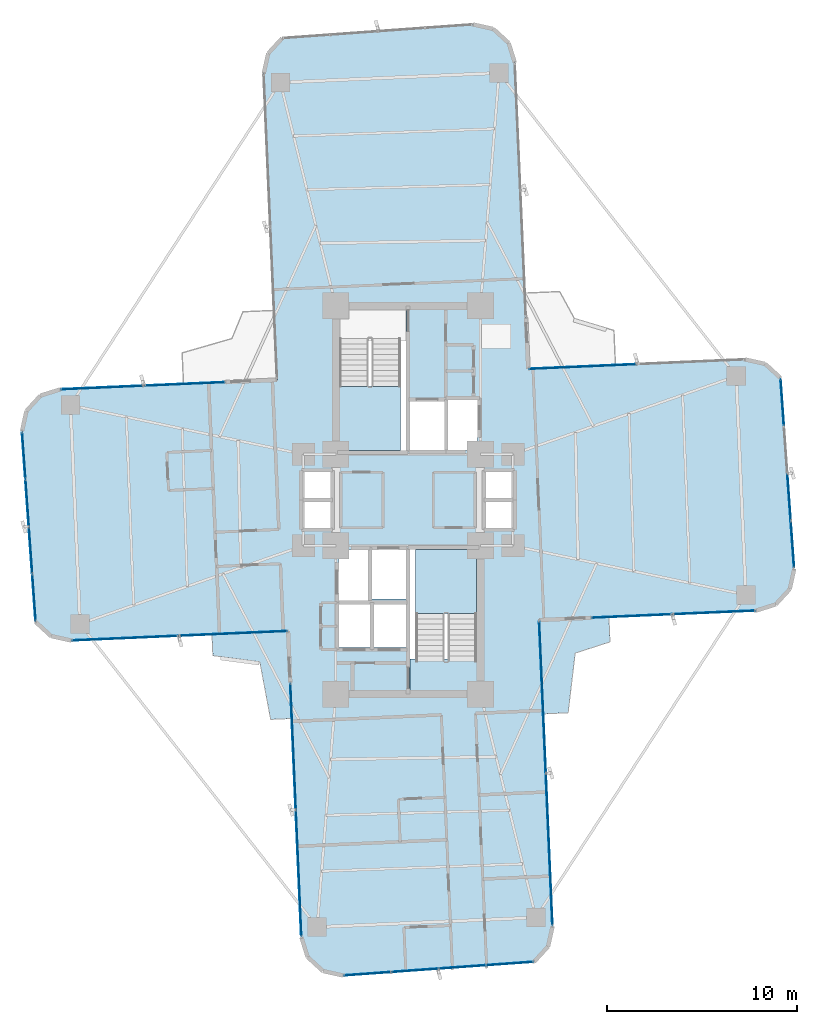
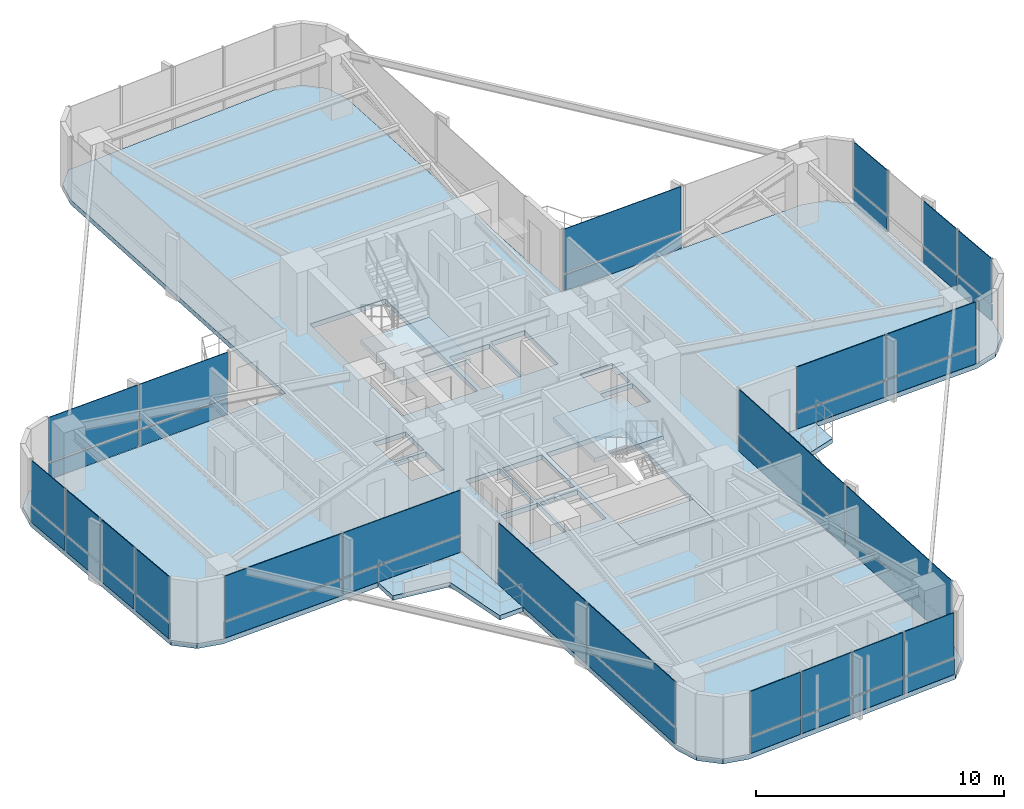
# One storey, part 21 of 26: 44 plates, 6 slabs, 11 elements without a shape of their own.
"""IFC4 building model written with IfcOpenShell, lengths in metres."""

from ifc_helpers import new_model, si_unit, direction, frame, origin, origin_2d, place, context, subcontext, project, spatial, polyline, rectangle, outline, extrude, source, transform, mapped, material, layer, layer_set, type_object, element, aggregate, save


model = new_model("IFC4")

# Units and contexts
model_context = context("Model", 3, precision=1e-05, world=origin(), true_north=direction((0.0, 1.0)))
body_context = subcontext(model_context, "Body", "Model", "MODEL_VIEW")
ifc_project = project(units=[si_unit("LENGTHUNIT", "METRE"), si_unit("AREAUNIT", "SQUARE_METRE"), si_unit("VOLUMEUNIT", "CUBIC_METRE"), si_unit("PLANEANGLEUNIT", "RADIAN"), si_unit("MASSUNIT", "GRAM", prefix="KILO")], contexts=[model_context])

# Site, building, storey
site_placement = place(None, origin())
site = spatial("IfcSite", under=ifc_project, at=site_placement, CompositionType="ELEMENT")
building_placement = place(site_placement, origin())
building = spatial("IfcBuilding", under=site, at=building_placement, Name="Sahyath Konkavel Grand Hotel", CompositionType="ELEMENT")
storey_placement = place(building_placement, frame((0.0, 0.0, 121.5)))
storey = spatial("IfcBuildingStorey", under=building, at=storey_placement, Name="L33", CompositionType="ELEMENT", Elevation=121.5)

# Slabs
ifc_material_1 = material(Name="Concrete C40/50", Category="concrete")
ifc_layer_1 = layer(ifc_material_1, 0.239990234375)
ifc_layer_set_1 = layer_set([ifc_layer_1], Name="Concrete C40/50")
slab_type_1 = type_object("IfcSlabType", Name="SLB-240", PredefinedType="FLOOR", material=ifc_layer_set_1)
slab_1_placement = place(storey_placement, frame((0.0, 0.0, -0.239990234375)))
element("IfcSlab", 1, at=slab_1_placement, inside=storey, type_object=slab_type_1, Name="L33 Structural Floor Slab", PredefinedType="FLOOR", context=body_context, shape_type="SweptSolid", body=[
    extrude(outline(polyline([(6.881591796875, -6.305908203125), (18.270751953125, -5.80859375), (19.3076171875, -5.481689453125), (20.0419921875, -4.68017578125), (20.277099609375, -3.618896484375), (19.5576171875, 6.4091796875), (18.75634765625, 7.1435546875), (17.695068359375, 7.37890625), (6.305908203125, 6.881591796875), (5.603515625, 22.96630859375), (5.276611328125, 24.0029296875), (4.47509765625, 24.7373046875), (3.4140625, 24.97265625), (-6.6142578125, 24.253173828125), (-7.3486328125, 23.451904296875), (-7.583984375, 22.390380859375), (-6.881591796875, 6.305908203125), (-18.270751953125, 5.80859375), (-19.3076171875, 5.481689453125), (-20.0419921875, 4.68017578125), (-20.277099609375, 3.618896484375), (-19.5576171875, -6.4091796875), (-18.75634765625, -7.1435546875), (-17.695068359375, -7.37890625), (-6.305908203125, -6.881591796875), (-5.603515625, -22.96630859375), (-5.276611328125, -24.0029296875), (-4.47509765625, -24.7373046875), (-3.4140625, -24.97265625), (6.6142578125, -24.253173828125), (7.3486328125, -23.451904296875), (7.583984375, -22.390380859375), (6.881591796875, -6.305908203125)]), holes=[polyline([(-3.6201171875, 2.580078125), (-0.10009765625, 2.580078125), (-0.10009765625, 10.02001953125), (-3.6201171875, 10.02001953125), (-3.6201171875, 2.580078125)]), polyline([(0.10009765625, -10.02001953125), (3.6201171875, -10.02001953125), (3.6201171875, -2.580078125), (0.10009765625, -2.580078125), (0.10009765625, -10.02001953125)]), polyline([(0.10009765625, 2.60009765625), (1.949951171875, 2.60009765625), (1.949951171875, 5.199951171875), (0.10009765625, 5.199951171875), (0.10009765625, 2.60009765625)]), polyline([(-1.949951171875, -5.199951171875), (-0.10009765625, -5.199951171875), (-0.10009765625, -2.60009765625), (-1.949951171875, -2.60009765625), (-1.949951171875, -5.199951171875)]), polyline([(2.050048828125, 2.60009765625), (3.64990234375, 2.60009765625), (3.64990234375, 5.300048828125), (2.050048828125, 5.300048828125), (2.050048828125, 2.60009765625)]), polyline([(-3.64990234375, -5.300048828125), (-2.050048828125, -5.300048828125), (-2.050048828125, -2.60009765625), (-3.64990234375, -2.60009765625), (-3.64990234375, -5.300048828125)]), polyline([(-3.64990234375, -7.75), (-1.949951171875, -7.75), (-1.949951171875, -5.449951171875), (-3.64990234375, -5.449951171875), (-3.64990234375, -7.75)]), polyline([(-1.85009765625, -7.75), (-0.10009765625, -7.75), (-0.10009765625, -5.449951171875), (-1.85009765625, -5.449951171875), (-1.85009765625, -7.75)]), polyline([(4.050048828125, 0.080078125), (5.550048828125, 0.080078125), (5.550048828125, 1.5400390625), (4.050048828125, 1.5400390625), (4.050048828125, 0.080078125)]), polyline([(4.050048828125, -1.5400390625), (5.550048828125, -1.5400390625), (5.550048828125, -0.080078125), (4.050048828125, -0.080078125), (4.050048828125, -1.5400390625)]), polyline([(-5.550048828125, 0.080078125), (-4.050048828125, 0.080078125), (-4.050048828125, 1.5400390625), (-5.550048828125, 1.5400390625), (-5.550048828125, 0.080078125)]), polyline([(-5.550048828125, -1.5400390625), (-4.050048828125, -1.5400390625), (-4.050048828125, -0.080078125), (-5.550048828125, -0.080078125), (-5.550048828125, -1.5400390625)])]), origin(), (0.0, 0.0, 1.0), 0.239990234375),
])
ifc_layer_2 = layer(ifc_material_1, 0.219970703125)
ifc_layer_set_2 = layer_set([ifc_layer_2], Name="Concrete C40/50")
slab_type_2 = type_object("IfcSlabType", Name="SLB-BALCONY-220", PredefinedType="FLOOR", material=ifc_layer_set_2)
slab_2_placement = place(storey_placement, frame((0.0, 0.0, -0.219970703125)))
element("IfcSlab", 2, at=slab_2_placement, inside=storey, type_object=slab_type_2, Name="L33 Winter-Garden Balcony SW", PredefinedType="FLOOR", context=body_context, shape_type="SweptSolid", body=[
    extrude(outline(polyline([(-6.305908203125, -6.881591796875), (-10.303955078125, -7.05615234375), (-10.25537109375, -8.172607421875), (-7.788818359375, -8.499755859375), (-7.2216796875, -11.52392578125), (-6.105224609375, -11.47509765625), (-6.305908203125, -6.881591796875)])), origin(), (0.0, 0.0, 1.0), 0.219970703125),
])
slab_3_placement = place(storey_placement, frame((0.0, 0.0, -0.219970703125)))
element("IfcSlab", 3, at=slab_3_placement, inside=storey, type_object=slab_type_2, Name="L33 Winter-Garden Balcony SE", PredefinedType="FLOOR", context=body_context, shape_type="SweptSolid", body=[
    extrude(outline(polyline([(6.881591796875, -6.305908203125), (7.0966796875, -11.234130859375), (8.403076171875, -11.177001953125), (8.775146484375, -8.041015625), (10.60205078125, -7.4521484375), (10.545166015625, -6.14599609375), (6.881591796875, -6.305908203125)])), origin(), (0.0, 0.0, 1.0), 0.219970703125),
])

# Stair, slab
stair_type = type_object("IfcStairType", Name="STR-ST16-335", PredefinedType="HALF_TURN_STAIR", material=ifc_material_1)
stair_1_placement = place(storey_placement, origin())
stair_1 = element("IfcStair", 4, at=stair_1_placement, inside=storey, type_object=stair_type, Name="L33 North Core Smokeproof Exit Stair ST-1", PredefinedType="HALF_TURN_STAIR")
ifc_layer_3 = layer(ifc_material_1, 0.199951171875)
ifc_layer_set_3 = layer_set([ifc_layer_3], Name="Concrete C40/50")
slab_type_3 = type_object("IfcSlabType", Name="SLB-STAIR-LND", PredefinedType="LANDING", material=ifc_layer_set_3)
slab_4_placement = place(storey_placement, frame((0.0, 0.0, 1.47509765625)))
slab_4 = element("IfcSlab", 5, at=slab_4_placement, type_object=slab_type_3, Name="ST-1 landing 1", PredefinedType="LANDING", context=body_context, shape_type="SweptSolid", body=[
    extrude(outline(polyline([(-3.60009765625, 5.9599609375), (-3.60009765625, 2.60009765625), (-0.39990234375, 2.60009765625), (-0.39990234375, 5.9599609375), (-3.60009765625, 5.9599609375)])), origin(), (0.0, 0.0, 1.0), 0.199951171875),
])
aggregate(stair_1, [slab_4])

stair_2_placement = place(storey_placement, origin())
stair_2 = element("IfcStair", 6, at=stair_2_placement, inside=storey, type_object=stair_type, Name="L33 South Core Smokeproof Exit Stair ST-2", PredefinedType="HALF_TURN_STAIR")
slab_5_placement = place(storey_placement, frame((0.0, 0.0, 1.47509765625)))
slab_5 = element("IfcSlab", 7, at=slab_5_placement, type_object=slab_type_3, Name="ST-2 landing 1", PredefinedType="LANDING", context=body_context, shape_type="SweptSolid", body=[
    extrude(outline(polyline([(3.60009765625, -5.9599609375), (3.60009765625, -2.60009765625), (0.39990234375, -2.60009765625), (0.39990234375, -5.9599609375), (3.60009765625, -5.9599609375)])), origin(), (0.0, 0.0, 1.0), 0.199951171875),
])
aggregate(stair_2, [slab_5])

# Slab
slab_6_placement = place(storey_placement, frame((0.0, 0.0, -0.199951171875)))
element("IfcSlab", 8, at=slab_6_placement, inside=storey, type_object=slab_type_3, Name="L33 Stair ST-2 Floor Landing Slab", PredefinedType="LANDING", context=body_context, shape_type="SweptSolid", body=[
    extrude(outline(polyline([(0.10009765625, -10.02001953125), (3.6201171875, -10.02001953125), (3.6201171875, -8.35009765625), (0.10009765625, -8.35009765625), (0.10009765625, -10.02001953125)])), origin(), (0.0, 0.0, 1.0), 0.199951171875),
])

# Curtain wall, plates
ifc_material_2 = material(Name="Anodised Bronze Aluminium & Low-E Glazing", Category="aluminium")
curtain_wall_type = type_object("IfcCurtainWallType", Name="CW-ZONE2", PredefinedType="NOTDEFINED", material=ifc_material_2)
curtain_wall_1_placement = place(storey_placement, origin())
curtain_wall_1 = element("IfcCurtainWall", 9, at=curtain_wall_1_placement, inside=storey, type_object=curtain_wall_type, Name="L33 Unitised Curtain Wall F0", PredefinedType="NOTDEFINED")
ifc_material_3 = material(Name="Warm Buff Sandstone Cladding", Category="masonry")
ifc_layer_4 = layer(ifc_material_3, 0.074951171875)
ifc_layer_set_4 = layer_set([ifc_layer_4], Name="Warm Buff Sandstone Cladding")
plate_type_1 = type_object("IfcPlateType", Name="PNL-SPANDREL-STONE", PredefinedType="SHEET", material=ifc_layer_set_4)
shared_shape_1 = source(origin(), body_context, "Body", "SweptSolid", [
    extrude(rectangle(XDim=4.22998046875, YDim=0.074951171875, at=origin_2d()), origin(), (0.0, 0.0, 1.0), 0.77001953125),
])
plate_1_placement = place(storey_placement, frame((11.77197265625, -6.09228515625, 0.0400390625), z_axis=(0.0, 0.0, 1.0), x_axis=(0.999048982732, 0.043601950678, 0.0)))
plate_1 = element("IfcPlate", 10, at=plate_1_placement, type_object=plate_type_1, Name="L33 Sandstone Relief Spandrel Panel F0-0", PredefinedType="SHEET", context=body_context, shape_type="MappedRepresentation", body=[
    mapped(shared_shape_1, transform((0.0, 0.0, 0.0), scale=1.0)),
])
plate_2_placement = place(storey_placement, frame((16.077880859375, -5.904296875, 0.0400390625), z_axis=(0.0, 0.0, 1.0), x_axis=(0.999048982732, 0.043601950678, 0.0)))
plate_2 = element("IfcPlate", 11, at=plate_2_placement, type_object=plate_type_1, Name="L33 Sandstone Relief Spandrel Panel F0-1", PredefinedType="SHEET", context=body_context, shape_type="MappedRepresentation", body=[
    mapped(shared_shape_1, transform((0.0, 0.0, 0.0), scale=1.0)),
])

curtain_wall_2_placement = place(storey_placement, origin())
curtain_wall_2 = element("IfcCurtainWall", 12, at=curtain_wall_2_placement, inside=storey, type_object=curtain_wall_type, Name="L33 Unitised Curtain Wall F16", PredefinedType="NOTDEFINED")
plate_3_placement = place(storey_placement, frame((-11.77197265625, 6.09228515625, 0.0400390625), z_axis=(0.0, 0.0, 1.0), x_axis=(-0.999048982732, -0.043601950678, 0.0)))
plate_3 = element("IfcPlate", 13, at=plate_3_placement, type_object=plate_type_1, Name="L33 Sandstone Relief Spandrel Panel F16-0", PredefinedType="SHEET", context=body_context, shape_type="MappedRepresentation", body=[
    mapped(shared_shape_1, transform((0.0, 0.0, 0.0), scale=1.0)),
])
plate_4_placement = place(storey_placement, frame((-16.077880859375, 5.904296875, 0.0400390625), z_axis=(0.0, 0.0, 1.0), x_axis=(-0.999048982732, -0.043601950678, 0.0)))
plate_4 = element("IfcPlate", 14, at=plate_4_placement, type_object=plate_type_1, Name="L33 Sandstone Relief Spandrel Panel F16-1", PredefinedType="SHEET", context=body_context, shape_type="MappedRepresentation", body=[
    mapped(shared_shape_1, transform((0.0, 0.0, 0.0), scale=1.0)),
])

curtain_wall_3_placement = place(storey_placement, origin())
curtain_wall_3 = element("IfcCurtainWall", 15, at=curtain_wall_3_placement, inside=storey, type_object=curtain_wall_type, Name="L33 Unitised Curtain Wall F4", PredefinedType="NOTDEFINED")
shared_shape_2 = source(origin(), body_context, "Body", "SweptSolid", [
    extrude(rectangle(XDim=2.41357421875, YDim=0.074951171875, at=origin_2d()), origin(), (0.0, 0.0, 1.0), 0.77001953125),
])
plate_5_placement = place(storey_placement, frame((20.18505859375, -2.335693359375, 0.0400390625), z_axis=(0.0, 0.0, 1.0), x_axis=(-0.071567078661, 0.997435789037, 0.0)))
plate_5 = element("IfcPlate", 16, at=plate_5_placement, type_object=plate_type_1, Name="L33 Sandstone Relief Spandrel Panel F4-0", PredefinedType="SHEET", context=body_context, shape_type="MappedRepresentation", body=[
    mapped(shared_shape_2, transform((0.0, 0.0, 0.0), scale=1.0)),
])
plate_6_placement = place(storey_placement, frame((20.006591796875, 0.151611328125, 0.0400390625), z_axis=(0.0, 0.0, 1.0), x_axis=(-0.071567078661, 0.997435789037, 0.0)))
plate_6 = element("IfcPlate", 17, at=plate_6_placement, type_object=plate_type_1, Name="L33 Sandstone Relief Spandrel Panel F4-1", PredefinedType="SHEET", context=body_context, shape_type="MappedRepresentation", body=[
    mapped(shared_shape_2, transform((0.0, 0.0, 0.0), scale=1.0)),
])
plate_7_placement = place(storey_placement, frame((19.64990234375, 5.125732421875, 0.0400390625), z_axis=(0.0, 0.0, 1.0), x_axis=(-0.071567078661, 0.997435789037, 0.0)))
plate_7 = element("IfcPlate", 18, at=plate_7_placement, type_object=plate_type_1, Name="L33 Sandstone Relief Spandrel Panel F4-3", PredefinedType="SHEET", context=body_context, shape_type="MappedRepresentation", body=[
    mapped(shared_shape_2, transform((0.0, 0.0, 0.0), scale=1.0)),
])

curtain_wall_4_placement = place(storey_placement, origin())
curtain_wall_4 = element("IfcCurtainWall", 19, at=curtain_wall_4_placement, inside=storey, type_object=curtain_wall_type, Name="L33 Unitised Curtain Wall F20", PredefinedType="NOTDEFINED")
plate_8_placement = place(storey_placement, frame((-20.18505859375, 2.335693359375, 0.0400390625), z_axis=(0.0, 0.0, 1.0), x_axis=(0.071567078661, -0.997435789037, 0.0)))
plate_8 = element("IfcPlate", 20, at=plate_8_placement, type_object=plate_type_1, Name="L33 Sandstone Relief Spandrel Panel F20-0", PredefinedType="SHEET", context=body_context, shape_type="MappedRepresentation", body=[
    mapped(shared_shape_2, transform((0.0, 0.0, 0.0), scale=1.0)),
])
plate_9_placement = place(storey_placement, frame((-20.006591796875, -0.151611328125, 0.0400390625), z_axis=(0.0, 0.0, 1.0), x_axis=(0.071567078661, -0.997435789037, 0.0)))
plate_9 = element("IfcPlate", 21, at=plate_9_placement, type_object=plate_type_1, Name="L33 Sandstone Relief Spandrel Panel F20-1", PredefinedType="SHEET", context=body_context, shape_type="MappedRepresentation", body=[
    mapped(shared_shape_2, transform((0.0, 0.0, 0.0), scale=1.0)),
])
plate_10_placement = place(storey_placement, frame((-19.828369140625, -2.638671875, 0.0400390625), z_axis=(0.0, 0.0, 1.0), x_axis=(0.071567078661, -0.997435789037, 0.0)))
plate_10 = element("IfcPlate", 22, at=plate_10_placement, type_object=plate_type_1, Name="L33 Sandstone Relief Spandrel Panel F20-2", PredefinedType="SHEET", context=body_context, shape_type="MappedRepresentation", body=[
    mapped(shared_shape_2, transform((0.0, 0.0, 0.0), scale=1.0)),
])
plate_11_placement = place(storey_placement, frame((-19.64990234375, -5.125732421875, 0.0400390625), z_axis=(0.0, 0.0, 1.0), x_axis=(0.071567078661, -0.997435789037, 0.0)))
plate_11 = element("IfcPlate", 23, at=plate_11_placement, type_object=plate_type_1, Name="L33 Sandstone Relief Spandrel Panel F20-3", PredefinedType="SHEET", context=body_context, shape_type="MappedRepresentation", body=[
    mapped(shared_shape_2, transform((0.0, 0.0, 0.0), scale=1.0)),
])

curtain_wall_5_placement = place(storey_placement, origin())
curtain_wall_5 = element("IfcCurtainWall", 24, at=curtain_wall_5_placement, inside=storey, type_object=curtain_wall_type, Name="L33 Unitised Curtain Wall F28", PredefinedType="NOTDEFINED")
plate_12_placement = place(storey_placement, frame((-2.130615234375, -24.880615234375, 0.0400390625), z_axis=(0.0, 0.0, 1.0), x_axis=(0.997435789037, 0.071567078661, 0.0)))
plate_12 = element("IfcPlate", 25, at=plate_12_placement, type_object=plate_type_1, Name="L33 Sandstone Relief Spandrel Panel F28-0", PredefinedType="SHEET", context=body_context, shape_type="MappedRepresentation", body=[
    mapped(shared_shape_2, transform((0.0, 0.0, 0.0), scale=1.0)),
])
plate_13_placement = place(storey_placement, frame((0.356689453125, -24.7021484375, 0.0400390625), z_axis=(0.0, 0.0, 1.0), x_axis=(0.997435789037, 0.071567078661, 0.0)))
plate_13 = element("IfcPlate", 26, at=plate_13_placement, type_object=plate_type_1, Name="L33 Sandstone Relief Spandrel Panel F28-1", PredefinedType="SHEET", context=body_context, shape_type="MappedRepresentation", body=[
    mapped(shared_shape_2, transform((0.0, 0.0, 0.0), scale=1.0)),
])
plate_14_placement = place(storey_placement, frame((2.84375, -24.523681640625, 0.0400390625), z_axis=(0.0, 0.0, 1.0), x_axis=(0.997435789037, 0.071567078661, 0.0)))
plate_14 = element("IfcPlate", 27, at=plate_14_placement, type_object=plate_type_1, Name="L33 Sandstone Relief Spandrel Panel F28-2", PredefinedType="SHEET", context=body_context, shape_type="MappedRepresentation", body=[
    mapped(shared_shape_2, transform((0.0, 0.0, 0.0), scale=1.0)),
])
plate_15_placement = place(storey_placement, frame((5.330810546875, -24.34521484375, 0.0400390625), z_axis=(0.0, 0.0, 1.0), x_axis=(0.997435789037, 0.071567078661, 0.0)))
plate_15 = element("IfcPlate", 28, at=plate_15_placement, type_object=plate_type_1, Name="L33 Sandstone Relief Spandrel Panel F28-3", PredefinedType="SHEET", context=body_context, shape_type="MappedRepresentation", body=[
    mapped(shared_shape_2, transform((0.0, 0.0, 0.0), scale=1.0)),
])

# Curtain wall, plate
curtain_wall_6_placement = place(storey_placement, origin())
curtain_wall_6 = element("IfcCurtainWall", 29, at=curtain_wall_6_placement, inside=storey, type_object=curtain_wall_type, Name="L33 Unitised Curtain Wall F7", PredefinedType="NOTDEFINED")
shared_shape_3 = source(origin(), body_context, "Body", "SweptSolid", [
    extrude(rectangle(XDim=5.580078125, YDim=0.074951171875, at=origin_2d()), origin(), (0.0, 0.0, 1.0), 0.77001953125),
])
plate_16_placement = place(storey_placement, frame((9.173095703125, 7.0068359375, 0.0400390625), z_axis=(0.0, 0.0, 1.0), x_axis=(-0.999048221582, -0.043619387365, 0.0)))
plate_16 = element("IfcPlate", 30, at=plate_16_placement, type_object=plate_type_1, Name="L33 Sandstone Relief Spandrel Panel F7-1", PredefinedType="SHEET", context=body_context, shape_type="MappedRepresentation", body=[
    mapped(shared_shape_3, transform((0.0, 0.0, 0.0), scale=1.0)),
])

# Curtain wall, plates
curtain_wall_7_placement = place(storey_placement, origin())
curtain_wall_7 = element("IfcCurtainWall", 31, at=curtain_wall_7_placement, inside=storey, type_object=curtain_wall_type, Name="L33 Unitised Curtain Wall F23", PredefinedType="NOTDEFINED")
plate_17_placement = place(storey_placement, frame((-14.82763671875, -7.25390625, 0.0400390625), z_axis=(0.0, 0.0, 1.0), x_axis=(0.999048221582, 0.043619387365, 0.0)))
plate_17 = element("IfcPlate", 32, at=plate_17_placement, type_object=plate_type_1, Name="L33 Sandstone Relief Spandrel Panel F23-0", PredefinedType="SHEET", context=body_context, shape_type="MappedRepresentation", body=[
    mapped(shared_shape_3, transform((0.0, 0.0, 0.0), scale=1.0)),
])
plate_18_placement = place(storey_placement, frame((-9.173095703125, -7.0068359375, 0.0400390625), z_axis=(0.0, 0.0, 1.0), x_axis=(0.999048221582, 0.043619387365, 0.0)))
plate_18 = element("IfcPlate", 33, at=plate_18_placement, type_object=plate_type_1, Name="L33 Sandstone Relief Spandrel Panel F23-1", PredefinedType="SHEET", context=body_context, shape_type="MappedRepresentation", body=[
    mapped(shared_shape_3, transform((0.0, 0.0, 0.0), scale=1.0)),
])

curtain_wall_8_placement = place(storey_placement, origin())
curtain_wall_8 = element("IfcCurtainWall", 34, at=curtain_wall_8_placement, inside=storey, type_object=curtain_wall_type, Name="L33 Unitised Curtain Wall F24", PredefinedType="NOTDEFINED")
shared_shape_4 = source(origin(), body_context, "Body", "SweptSolid", [
    extrude(rectangle(XDim=6.580078125, YDim=0.074951171875, at=origin_2d()), origin(), (0.0, 0.0, 1.0), 0.77001953125),
])
plate_19_placement = place(storey_placement, frame((-6.041015625, -12.94580078125, 0.0400390625), z_axis=(0.0, 0.0, 1.0), x_axis=(0.043619387365, -0.999048221582, 0.0)))
plate_19 = element("IfcPlate", 35, at=plate_19_placement, type_object=plate_type_1, Name="L33 Sandstone Relief Spandrel Panel F24-0", PredefinedType="SHEET", context=body_context, shape_type="MappedRepresentation", body=[
    mapped(shared_shape_4, transform((0.0, 0.0, 0.0), scale=1.0)),
])
plate_20_placement = place(storey_placement, frame((-5.75048828125, -19.599609375, 0.0400390625), z_axis=(0.0, 0.0, 1.0), x_axis=(0.043619387365, -0.999048221582, 0.0)))
plate_20 = element("IfcPlate", 36, at=plate_20_placement, type_object=plate_type_1, Name="L33 Sandstone Relief Spandrel Panel F24-1", PredefinedType="SHEET", context=body_context, shape_type="MappedRepresentation", body=[
    mapped(shared_shape_4, transform((0.0, 0.0, 0.0), scale=1.0)),
])

curtain_wall_9_placement = place(storey_placement, origin())
curtain_wall_9 = element("IfcCurtainWall", 37, at=curtain_wall_9_placement, inside=storey, type_object=curtain_wall_type, Name="L33 Unitised Curtain Wall F31", PredefinedType="NOTDEFINED")
shared_shape_5 = source(origin(), body_context, "Body", "SweptSolid", [
    extrude(rectangle(XDim=7.929931640625, YDim=0.074951171875, at=origin_2d()), origin(), (0.0, 0.0, 1.0), 0.77001953125),
])
plate_21_placement = place(storey_placement, frame((7.407470703125, -18.349365234375, 0.0400390625), z_axis=(0.0, 0.0, 1.0), x_axis=(-0.043619387365, 0.999048221582, 0.0)))
plate_21 = element("IfcPlate", 38, at=plate_21_placement, type_object=plate_type_1, Name="L33 Sandstone Relief Spandrel Panel F31-0", PredefinedType="SHEET", context=body_context, shape_type="MappedRepresentation", body=[
    mapped(shared_shape_5, transform((0.0, 0.0, 0.0), scale=1.0)),
])
plate_22_placement = place(storey_placement, frame((7.05810546875, -10.346923828125, 0.0400390625), z_axis=(0.0, 0.0, 1.0), x_axis=(-0.043619387365, 0.999048221582, 0.0)))
plate_22 = element("IfcPlate", 39, at=plate_22_placement, type_object=plate_type_1, Name="L33 Sandstone Relief Spandrel Panel F31-1", PredefinedType="SHEET", context=body_context, shape_type="MappedRepresentation", body=[
    mapped(shared_shape_5, transform((0.0, 0.0, 0.0), scale=1.0)),
])

# Plate
ifc_material_4 = material(Name="Low-E Solar Control Double Glazing", Category="glass")
ifc_layer_5 = layer(ifc_material_4, 0.035888671875)
ifc_layer_set_5 = layer_set([ifc_layer_5], Name="Low-E Solar Control Double Glazing")
plate_type_2 = type_object("IfcPlateType", Name="PNL-VISION-LOWE", PredefinedType="CURTAIN_PANEL", material=ifc_layer_set_5)
shared_shape_6 = source(origin(), body_context, "Body", "SweptSolid", [
    extrude(rectangle(XDim=4.22998046875, YDim=0.035888671875, at=origin_2d()), origin(), (0.0, 0.0, 1.0), 2.179931640625),
])
plate_23_placement = place(storey_placement, frame((11.77197265625, -6.09228515625, 0.89013671875), z_axis=(0.0, 0.0, 1.0), x_axis=(0.999048982732, 0.043601950678, 0.0)))
plate_23 = element("IfcPlate", 40, at=plate_23_placement, type_object=plate_type_2, Name="L33 Low-E Vision Glazing Panel F0-0", PredefinedType="CURTAIN_PANEL", context=body_context, shape_type="MappedRepresentation", body=[
    mapped(shared_shape_6, transform((0.0, 0.0, 0.0), scale=1.0)),
])

plate_24_placement = place(storey_placement, frame((16.077880859375, -5.904296875, 0.89013671875), z_axis=(0.0, 0.0, 1.0), x_axis=(0.999048982732, 0.043601950678, 0.0)))
plate_24 = element("IfcPlate", 41, at=plate_24_placement, type_object=plate_type_2, Name="L33 Low-E Vision Glazing Panel F0-1", PredefinedType="CURTAIN_PANEL", context=body_context, shape_type="MappedRepresentation", body=[
    mapped(shared_shape_6, transform((0.0, 0.0, 0.0), scale=1.0)),
])

aggregate(curtain_wall_1, [plate_1, plate_23, plate_2, plate_24])

plate_25_placement = place(storey_placement, frame((-11.77197265625, 6.09228515625, 0.89013671875), z_axis=(0.0, 0.0, 1.0), x_axis=(-0.999048982732, -0.043601950678, 0.0)))
plate_25 = element("IfcPlate", 42, at=plate_25_placement, type_object=plate_type_2, Name="L33 Low-E Vision Glazing Panel F16-0", PredefinedType="CURTAIN_PANEL", context=body_context, shape_type="MappedRepresentation", body=[
    mapped(shared_shape_6, transform((0.0, 0.0, 0.0), scale=1.0)),
])

plate_26_placement = place(storey_placement, frame((-16.077880859375, 5.904296875, 0.89013671875), z_axis=(0.0, 0.0, 1.0), x_axis=(-0.999048982732, -0.043601950678, 0.0)))
plate_26 = element("IfcPlate", 43, at=plate_26_placement, type_object=plate_type_2, Name="L33 Low-E Vision Glazing Panel F16-1", PredefinedType="CURTAIN_PANEL", context=body_context, shape_type="MappedRepresentation", body=[
    mapped(shared_shape_6, transform((0.0, 0.0, 0.0), scale=1.0)),
])

aggregate(curtain_wall_2, [plate_3, plate_25, plate_4, plate_26])

shared_shape_7 = source(origin(), body_context, "Body", "SweptSolid", [
    extrude(rectangle(XDim=2.41357421875, YDim=0.035888671875, at=origin_2d()), origin(), (0.0, 0.0, 1.0), 2.179931640625),
])
plate_27_placement = place(storey_placement, frame((20.18505859375, -2.335693359375, 0.89013671875), z_axis=(0.0, 0.0, 1.0), x_axis=(-0.071567078661, 0.997435789037, 0.0)))
plate_27 = element("IfcPlate", 44, at=plate_27_placement, type_object=plate_type_2, Name="L33 Low-E Vision Glazing Panel F4-0", PredefinedType="CURTAIN_PANEL", context=body_context, shape_type="MappedRepresentation", body=[
    mapped(shared_shape_7, transform((0.0, 0.0, 0.0), scale=1.0)),
])

plate_28_placement = place(storey_placement, frame((20.006591796875, 0.151611328125, 0.89013671875), z_axis=(0.0, 0.0, 1.0), x_axis=(-0.071567078661, 0.997435789037, 0.0)))
plate_28 = element("IfcPlate", 45, at=plate_28_placement, type_object=plate_type_2, Name="L33 Low-E Vision Glazing Panel F4-1", PredefinedType="CURTAIN_PANEL", context=body_context, shape_type="MappedRepresentation", body=[
    mapped(shared_shape_7, transform((0.0, 0.0, 0.0), scale=1.0)),
])

plate_29_placement = place(storey_placement, frame((19.64990234375, 5.125732421875, 0.89013671875), z_axis=(0.0, 0.0, 1.0), x_axis=(-0.071567078661, 0.997435789037, 0.0)))
plate_29 = element("IfcPlate", 46, at=plate_29_placement, type_object=plate_type_2, Name="L33 Low-E Vision Glazing Panel F4-3", PredefinedType="CURTAIN_PANEL", context=body_context, shape_type="MappedRepresentation", body=[
    mapped(shared_shape_7, transform((0.0, 0.0, 0.0), scale=1.0)),
])

aggregate(curtain_wall_3, [plate_5, plate_27, plate_6, plate_28, plate_7, plate_29])

plate_30_placement = place(storey_placement, frame((-20.18505859375, 2.335693359375, 0.89013671875), z_axis=(0.0, 0.0, 1.0), x_axis=(0.071567078661, -0.997435789037, 0.0)))
plate_30 = element("IfcPlate", 47, at=plate_30_placement, type_object=plate_type_2, Name="L33 Low-E Vision Glazing Panel F20-0", PredefinedType="CURTAIN_PANEL", context=body_context, shape_type="MappedRepresentation", body=[
    mapped(shared_shape_7, transform((0.0, 0.0, 0.0), scale=1.0)),
])

plate_31_placement = place(storey_placement, frame((-20.006591796875, -0.151611328125, 0.89013671875), z_axis=(0.0, 0.0, 1.0), x_axis=(0.071567078661, -0.997435789037, 0.0)))
plate_31 = element("IfcPlate", 48, at=plate_31_placement, type_object=plate_type_2, Name="L33 Low-E Vision Glazing Panel F20-1", PredefinedType="CURTAIN_PANEL", context=body_context, shape_type="MappedRepresentation", body=[
    mapped(shared_shape_7, transform((0.0, 0.0, 0.0), scale=1.0)),
])

plate_32_placement = place(storey_placement, frame((-19.828369140625, -2.638671875, 0.89013671875), z_axis=(0.0, 0.0, 1.0), x_axis=(0.071567078661, -0.997435789037, 0.0)))
plate_32 = element("IfcPlate", 49, at=plate_32_placement, type_object=plate_type_2, Name="L33 Low-E Vision Glazing Panel F20-2", PredefinedType="CURTAIN_PANEL", context=body_context, shape_type="MappedRepresentation", body=[
    mapped(shared_shape_7, transform((0.0, 0.0, 0.0), scale=1.0)),
])

plate_33_placement = place(storey_placement, frame((-19.64990234375, -5.125732421875, 0.89013671875), z_axis=(0.0, 0.0, 1.0), x_axis=(0.071567078661, -0.997435789037, 0.0)))
plate_33 = element("IfcPlate", 50, at=plate_33_placement, type_object=plate_type_2, Name="L33 Low-E Vision Glazing Panel F20-3", PredefinedType="CURTAIN_PANEL", context=body_context, shape_type="MappedRepresentation", body=[
    mapped(shared_shape_7, transform((0.0, 0.0, 0.0), scale=1.0)),
])

aggregate(curtain_wall_4, [plate_8, plate_30, plate_9, plate_31, plate_10, plate_32, plate_11, plate_33])

plate_34_placement = place(storey_placement, frame((-2.130615234375, -24.880615234375, 0.89013671875), z_axis=(0.0, 0.0, 1.0), x_axis=(0.997435789037, 0.071567078661, 0.0)))
plate_34 = element("IfcPlate", 51, at=plate_34_placement, type_object=plate_type_2, Name="L33 Low-E Vision Glazing Panel F28-0", PredefinedType="CURTAIN_PANEL", context=body_context, shape_type="MappedRepresentation", body=[
    mapped(shared_shape_7, transform((0.0, 0.0, 0.0), scale=1.0)),
])

plate_35_placement = place(storey_placement, frame((0.356689453125, -24.7021484375, 0.89013671875), z_axis=(0.0, 0.0, 1.0), x_axis=(0.997435789037, 0.071567078661, 0.0)))
plate_35 = element("IfcPlate", 52, at=plate_35_placement, type_object=plate_type_2, Name="L33 Low-E Vision Glazing Panel F28-1", PredefinedType="CURTAIN_PANEL", context=body_context, shape_type="MappedRepresentation", body=[
    mapped(shared_shape_7, transform((0.0, 0.0, 0.0), scale=1.0)),
])

plate_36_placement = place(storey_placement, frame((2.84375, -24.523681640625, 0.89013671875), z_axis=(0.0, 0.0, 1.0), x_axis=(0.997435789037, 0.071567078661, 0.0)))
plate_36 = element("IfcPlate", 53, at=plate_36_placement, type_object=plate_type_2, Name="L33 Low-E Vision Glazing Panel F28-2", PredefinedType="CURTAIN_PANEL", context=body_context, shape_type="MappedRepresentation", body=[
    mapped(shared_shape_7, transform((0.0, 0.0, 0.0), scale=1.0)),
])

plate_37_placement = place(storey_placement, frame((5.330810546875, -24.34521484375, 0.89013671875), z_axis=(0.0, 0.0, 1.0), x_axis=(0.997435789037, 0.071567078661, 0.0)))
plate_37 = element("IfcPlate", 54, at=plate_37_placement, type_object=plate_type_2, Name="L33 Low-E Vision Glazing Panel F28-3", PredefinedType="CURTAIN_PANEL", context=body_context, shape_type="MappedRepresentation", body=[
    mapped(shared_shape_7, transform((0.0, 0.0, 0.0), scale=1.0)),
])

aggregate(curtain_wall_5, [plate_12, plate_34, plate_13, plate_35, plate_14, plate_36, plate_15, plate_37])

shared_shape_8 = source(origin(), body_context, "Body", "SweptSolid", [
    extrude(rectangle(XDim=5.580078125, YDim=0.035888671875, at=origin_2d()), origin(), (0.0, 0.0, 1.0), 2.179931640625),
])
plate_38_placement = place(storey_placement, frame((9.173095703125, 7.0068359375, 0.89013671875), z_axis=(0.0, 0.0, 1.0), x_axis=(-0.999048221582, -0.043619387365, 0.0)))
plate_38 = element("IfcPlate", 55, at=plate_38_placement, type_object=plate_type_2, Name="L33 Low-E Vision Glazing Panel F7-1", PredefinedType="CURTAIN_PANEL", context=body_context, shape_type="MappedRepresentation", body=[
    mapped(shared_shape_8, transform((0.0, 0.0, 0.0), scale=1.0)),
])

aggregate(curtain_wall_6, [plate_16, plate_38])

plate_39_placement = place(storey_placement, frame((-14.82763671875, -7.25390625, 0.89013671875), z_axis=(0.0, 0.0, 1.0), x_axis=(0.999048221582, 0.043619387365, 0.0)))
plate_39 = element("IfcPlate", 56, at=plate_39_placement, type_object=plate_type_2, Name="L33 Low-E Vision Glazing Panel F23-0", PredefinedType="CURTAIN_PANEL", context=body_context, shape_type="MappedRepresentation", body=[
    mapped(shared_shape_8, transform((0.0, 0.0, 0.0), scale=1.0)),
])

plate_40_placement = place(storey_placement, frame((-9.173095703125, -7.0068359375, 0.89013671875), z_axis=(0.0, 0.0, 1.0), x_axis=(0.999048221582, 0.043619387365, 0.0)))
plate_40 = element("IfcPlate", 57, at=plate_40_placement, type_object=plate_type_2, Name="L33 Low-E Vision Glazing Panel F23-1", PredefinedType="CURTAIN_PANEL", context=body_context, shape_type="MappedRepresentation", body=[
    mapped(shared_shape_8, transform((0.0, 0.0, 0.0), scale=1.0)),
])

aggregate(curtain_wall_7, [plate_17, plate_39, plate_18, plate_40])

shared_shape_9 = source(origin(), body_context, "Body", "SweptSolid", [
    extrude(rectangle(XDim=6.580078125, YDim=0.035888671875, at=origin_2d()), origin(), (0.0, 0.0, 1.0), 2.179931640625),
])
plate_41_placement = place(storey_placement, frame((-6.041015625, -12.94580078125, 0.89013671875), z_axis=(0.0, 0.0, 1.0), x_axis=(0.043619387365, -0.999048221582, 0.0)))
plate_41 = element("IfcPlate", 58, at=plate_41_placement, type_object=plate_type_2, Name="L33 Low-E Vision Glazing Panel F24-0", PredefinedType="CURTAIN_PANEL", context=body_context, shape_type="MappedRepresentation", body=[
    mapped(shared_shape_9, transform((0.0, 0.0, 0.0), scale=1.0)),
])

plate_42_placement = place(storey_placement, frame((-5.75048828125, -19.599609375, 0.89013671875), z_axis=(0.0, 0.0, 1.0), x_axis=(0.043619387365, -0.999048221582, 0.0)))
plate_42 = element("IfcPlate", 59, at=plate_42_placement, type_object=plate_type_2, Name="L33 Low-E Vision Glazing Panel F24-1", PredefinedType="CURTAIN_PANEL", context=body_context, shape_type="MappedRepresentation", body=[
    mapped(shared_shape_9, transform((0.0, 0.0, 0.0), scale=1.0)),
])

aggregate(curtain_wall_8, [plate_19, plate_41, plate_20, plate_42])

shared_shape_10 = source(origin(), body_context, "Body", "SweptSolid", [
    extrude(rectangle(XDim=7.929931640625, YDim=0.035888671875, at=origin_2d()), origin(), (0.0, 0.0, 1.0), 2.179931640625),
])
plate_43_placement = place(storey_placement, frame((7.407470703125, -18.349365234375, 0.89013671875), z_axis=(0.0, 0.0, 1.0), x_axis=(-0.043619387365, 0.999048221582, 0.0)))
plate_43 = element("IfcPlate", 60, at=plate_43_placement, type_object=plate_type_2, Name="L33 Low-E Vision Glazing Panel F31-0", PredefinedType="CURTAIN_PANEL", context=body_context, shape_type="MappedRepresentation", body=[
    mapped(shared_shape_10, transform((0.0, 0.0, 0.0), scale=1.0)),
])

plate_44_placement = place(storey_placement, frame((7.05810546875, -10.346923828125, 0.89013671875), z_axis=(0.0, 0.0, 1.0), x_axis=(-0.043619387365, 0.999048221582, 0.0)))
plate_44 = element("IfcPlate", 61, at=plate_44_placement, type_object=plate_type_2, Name="L33 Low-E Vision Glazing Panel F31-1", PredefinedType="CURTAIN_PANEL", context=body_context, shape_type="MappedRepresentation", body=[
    mapped(shared_shape_10, transform((0.0, 0.0, 0.0), scale=1.0)),
])

aggregate(curtain_wall_9, [plate_21, plate_43, plate_22, plate_44])

save(model, "model.ifc")
